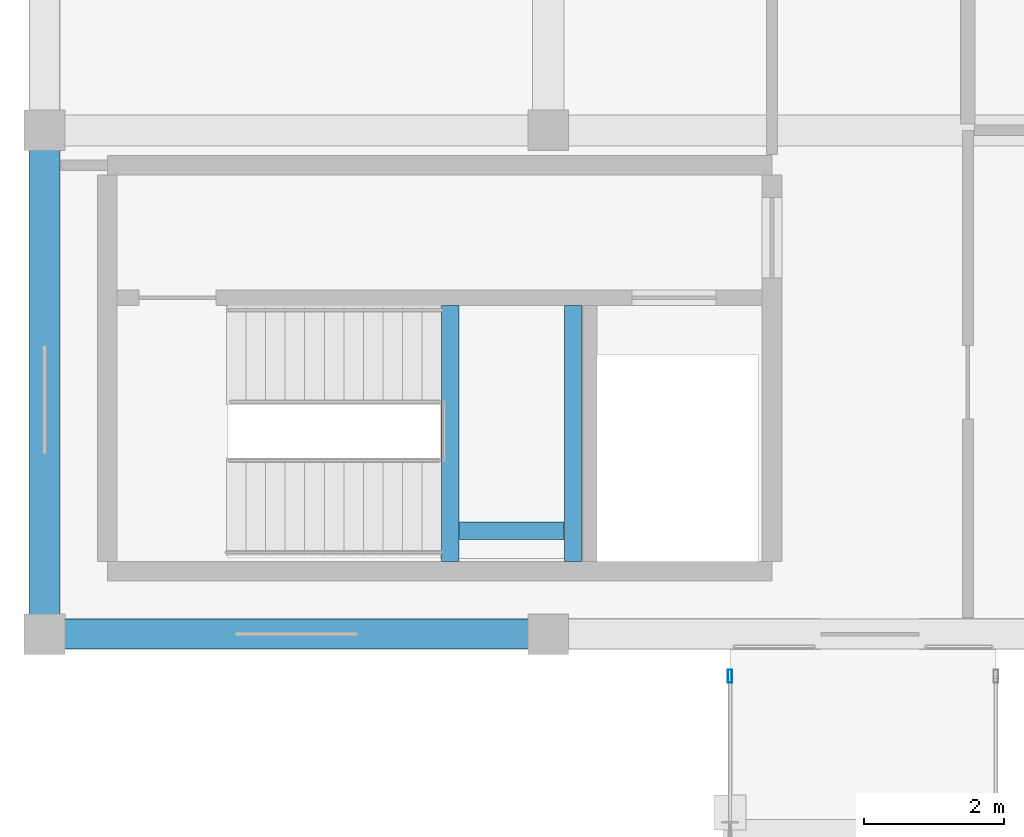
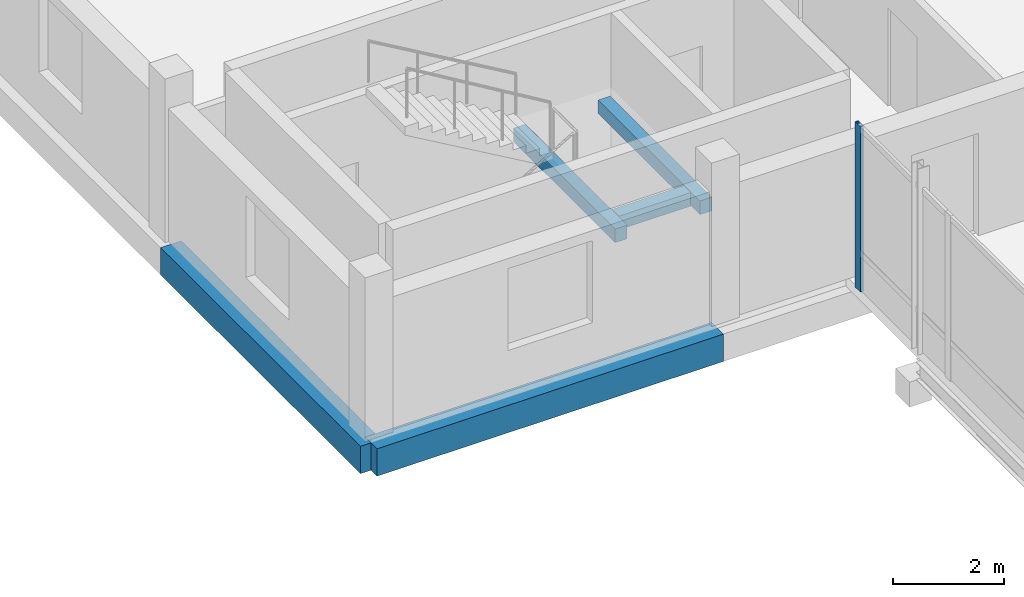
# One storey, part 59 of 128: 5 beams, 1 member, 1 element without a shape of its own.
"""IFC4 building model written with IfcOpenShell, lengths in metres."""

from ifc_helpers import new_model, si_unit, direction, frame, origin, origin_2d, place, context, subcontext, project, spatial, rectangle, hollow_rectangle, extrude, material, material_profile, profile_set, type_object, element, aggregate, save


model = new_model("IFC4")

# Units and contexts
model_context = context("Model", 3, precision=1e-05, world=origin(), true_north=direction((0.0, 1.0)))
body_context = subcontext(model_context, "Body", "Model", "MODEL_VIEW")
ifc_project = project(units=[si_unit("LENGTHUNIT", "METRE"), si_unit("AREAUNIT", "SQUARE_METRE"), si_unit("VOLUMEUNIT", "CUBIC_METRE"), si_unit("PLANEANGLEUNIT", "RADIAN"), si_unit("MASSUNIT", "GRAM", prefix="KILO")], contexts=[model_context])

# Site, building, storey
site_placement = place(None, origin())
site = spatial("IfcSite", under=ifc_project, at=site_placement, CompositionType="ELEMENT")
building_placement = place(site_placement, origin())
building = spatial("IfcBuilding", under=site, at=building_placement, Name="Zornivar Specialist Clinic", CompositionType="ELEMENT")
storey_placement = place(building_placement, frame((0.0, 0.0, 4.5)))
storey = spatial("IfcBuildingStorey", under=building, at=storey_placement, Name="L01", CompositionType="ELEMENT", Elevation=4.5)

# Beams
ifc_material_1 = material(Name="Concrete C30/37", Category="concrete")
ifc_material_profile_1 = material_profile(ifc_material_1, rectangle(XDim=0.25, YDim=0.300048828125, at=origin_2d()), Name="RC 250x300")
ifc_profile_set_1 = profile_set([ifc_material_profile_1], Name="Concrete C30/37")
beam_type_1 = type_object("IfcBeamType", Name="BM-LAND-250x300", PredefinedType="BEAM", material=ifc_profile_set_1)
for number, where, z_axis, x_axis, name in (
    (1, (5.800048828125, 80.239990234375, 1.6201171875), (0.0, 1.0, 0.0), (-1.0, 0.0, 0.0), "bm:stair:C7:L01:lW"),
    (2, (7.56005859375, 80.239990234375, 1.6201171875), (0.0, 1.0, 0.0), (-1.0, 0.0, 0.0), "bm:stair:C7:L01:lE"),
):
    element("IfcBeam", number, at=place(storey_placement, frame(where, z_axis=z_axis, x_axis=x_axis)), inside=storey, type_object=beam_type_1, Name=name, PredefinedType="BEAM", context=body_context, shape_type="SweptSolid", body=[
        extrude(rectangle(XDim=0.25, YDim=0.300048828125, at=origin_2d()), origin(), (0.0, 0.0, 1.0), 3.659912109375),
    ])
beam_placement = place(storey_placement, frame((5.93505859375, 80.679931640625, 1.6201171875), z_axis=(1.0, 0.0, 0.0), x_axis=(0.0, 1.0, 0.0)))
element("IfcBeam", 3, at=beam_placement, inside=storey, type_object=beam_type_1, Name="bm:stair:C7:L01:lS", PredefinedType="BEAM", context=body_context, shape_type="SweptSolid", body=[
    extrude(rectangle(XDim=0.25, YDim=0.300048828125, at=origin_2d()), origin(), (0.0, 0.0, 1.0), 1.489990234375),
])
ifc_material_2 = material(Name="Concrete C30/37", Category="concrete")
ifc_material_profile_2 = material_profile(ifc_material_2, rectangle(XDim=0.429931640625, YDim=0.60009765625, at=origin_2d()), Name="RC 430x600")
ifc_profile_set_2 = profile_set([ifc_material_profile_2], Name="Concrete C30/37")
beam_type_2 = type_object("IfcBeamType", Name="BM-RC-SPANDREL-430x600", PredefinedType="SPANDREL", material=ifc_profile_set_2)
for number, where, z_axis, x_axis, name in (
    (4, (0.0, 79.199951171875, -0.610107421875), (1.0, 0.0, 0.0), (0.0, 1.0, 0.0), "bm:V5:L01:x:792:0"),
    (5, (0.0, 79.199951171875, -0.610107421875), (0.0, 1.0, 0.0), (-1.0, 0.0, 0.0), "bm:V5:L01:y:0:0"),
):
    element("IfcBeam", number, at=place(storey_placement, frame(where, z_axis=z_axis, x_axis=x_axis)), inside=storey, type_object=beam_type_2, Name=name, PredefinedType="SPANDREL", context=body_context, shape_type="SweptSolid", body=[
        extrude(rectangle(XDim=0.429931640625, YDim=0.60009765625, at=origin_2d()), origin(), (0.0, 0.0, 1.0), 7.199951171875),
    ])

# Curtain wall, member
ifc_material_3 = material(Name="Aluminium and Low-E Glass Curtain Wall", Category="aluminium")
curtain_wall_type = type_object("IfcCurtainWallType", Name="CW-BRIDGE-LINK", PredefinedType="NOTDEFINED", material=ifc_material_3)
curtain_wall_placement = place(storey_placement, origin())
curtain_wall = element("IfcCurtainWall", 6, at=curtain_wall_placement, inside=storey, type_object=curtain_wall_type, Name="cw:BR2:L01:W:1", PredefinedType="NOTDEFINED")
ifc_material_4 = material(Name="Aluminium AW-6060", Category="aluminium")
ifc_material_profile_3 = material_profile(ifc_material_4, hollow_rectangle(XDim=0.06494140625, YDim=0.18505859375, WallThickness=0.00439453125, at=origin_2d()), Name="ALU 65x185x4.5")
ifc_profile_set_3 = profile_set([ifc_material_profile_3], Name="Aluminium AW-6060")
member_type = type_object("IfcMemberType", Name="CWM-MUL-185", PredefinedType="MULLION", material=ifc_profile_set_3)
member_placement = place(storey_placement, frame((9.800048828125, 78.60009765625, 0.0), z_axis=(0.0, 0.0, 1.0), x_axis=(1.0, 0.0, 0.0)))
member = element("IfcMember", 7, at=member_placement, type_object=member_type, Name="cw:BR2:L01:W:1:mul:3", PredefinedType="MULLION", context=body_context, shape_type="SweptSolid", body=[
    extrude(hollow_rectangle(XDim=0.06494140625, YDim=0.18505859375, WallThickness=0.00439453125, at=origin_2d()), origin(), (0.0, 0.0, 1.0), 3.639892578125),
])
aggregate(curtain_wall, [member])

save(model, "model.ifc")
